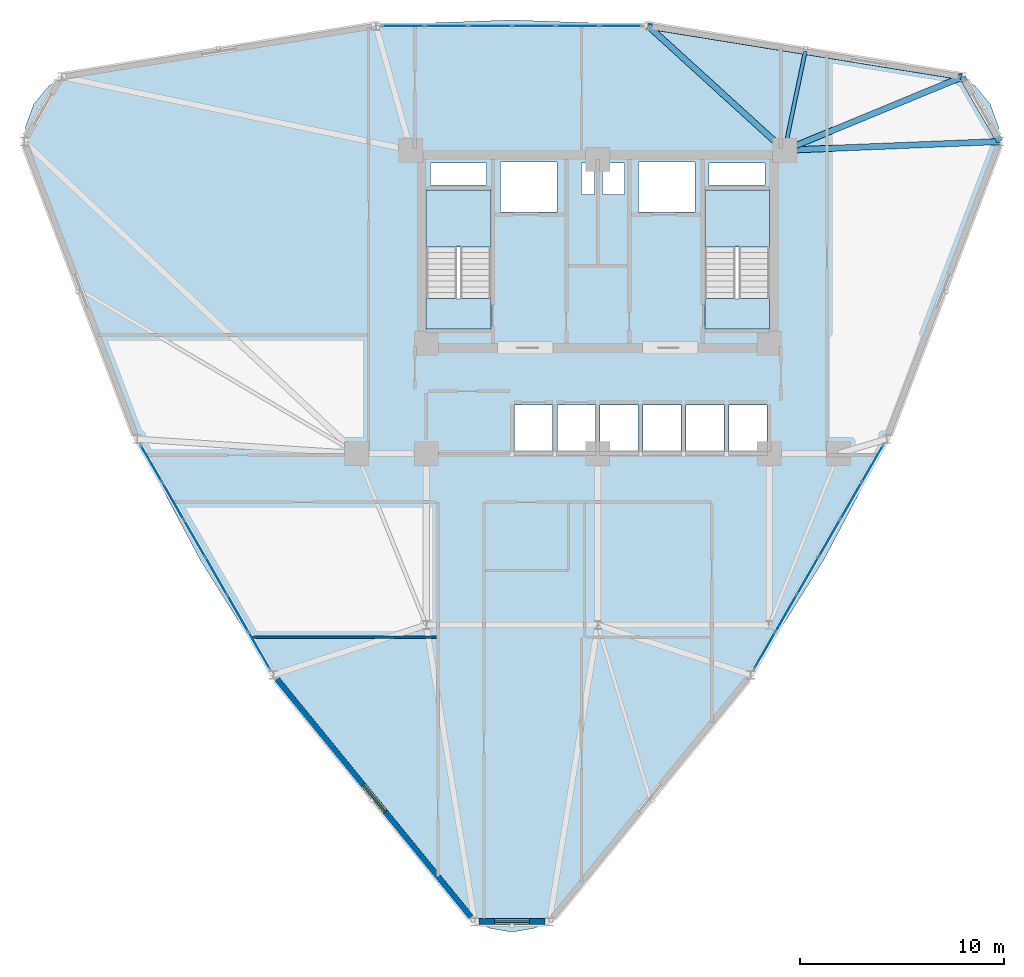
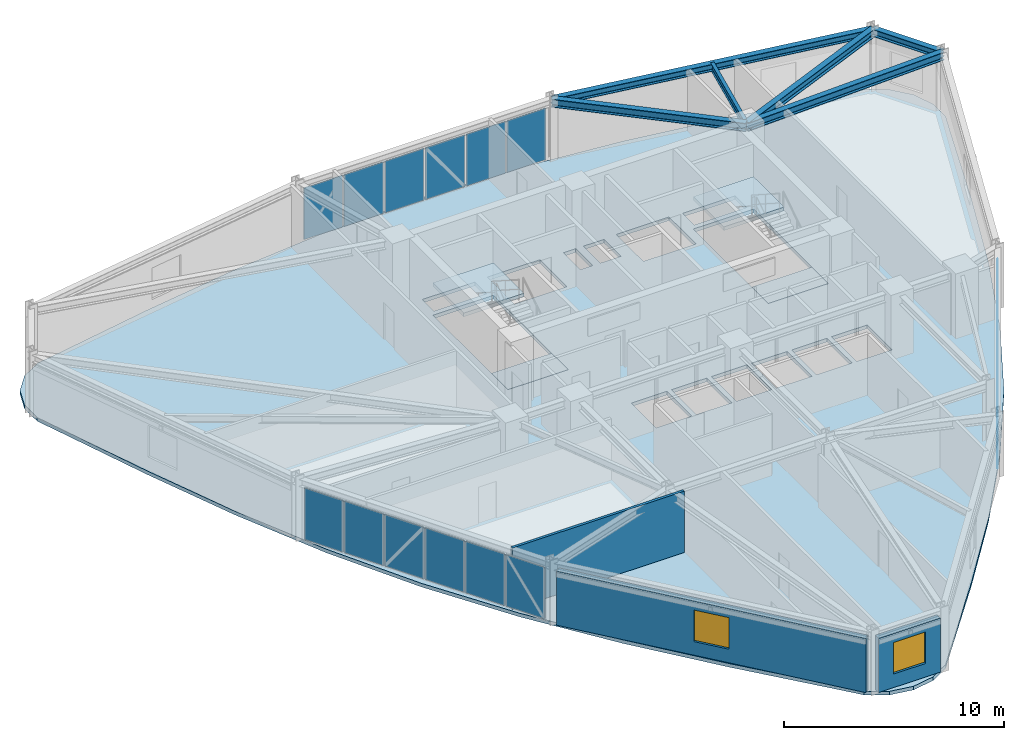
# One storey, part 11 of 18: 18 plates, 6 beams, 5 slabs, 3 walls, 2 windows, 2 openings, 5 elements without a shape of their own.
"""IFC4 building model written with IfcOpenShell, lengths in metres."""

from ifc_helpers import new_model, si_unit, derived_unit, direction, frame, frame_2d, origin, origin_2d, place, context, subcontext, project, spatial, polyline, rectangle, i_section, outline, extrude, source, transform, mapped, material, layer, layer_set, material_profile, profile_set, type_object, element, fill, aggregate, save


model = new_model("IFC4")

# Units and contexts
model_context = context("Model", 3, precision=1e-05, world=origin(), true_north=direction((0.0, 1.0)))
body_context = subcontext(model_context, "Body", "Model", "MODEL_VIEW")
ifc_project = project(units=[si_unit("LENGTHUNIT", "METRE"), si_unit("AREAUNIT", "SQUARE_METRE"), si_unit("VOLUMEUNIT", "CUBIC_METRE"), si_unit("PLANEANGLEUNIT", "RADIAN"), si_unit("MASSUNIT", "GRAM", prefix="KILO"), derived_unit("THERMALTRANSMITTANCEUNIT", [(si_unit("POWERUNIT", "WATT"), 1), (si_unit("LENGTHUNIT", "METRE"), -2), (si_unit("THERMODYNAMICTEMPERATUREUNIT", "KELVIN"), -1)])], contexts=[model_context])

# Site, building, storey
site_placement = place(None, origin())
site = spatial("IfcSite", under=ifc_project, at=site_placement, CompositionType="ELEMENT")
building_placement = place(site_placement, origin())
building = spatial("IfcBuilding", under=site, at=building_placement, Name="Korsvarv Bourse and Concert Hall", CompositionType="ELEMENT")
storey_placement = place(building_placement, frame((0.0, 0.0, 139.800048828125)))
storey = spatial("IfcBuildingStorey", under=building, at=storey_placement, Name="L35", CompositionType="ELEMENT", Elevation=139.800048828125)

# Beams
ifc_material_1 = material(Name="Steel S355", Category="steel")
ifc_material_profile_1 = material_profile(ifc_material_1, i_section(OverallWidth=0.300048828125, OverallDepth=0.39990234375, WebThickness=0.013427734375, FlangeThickness=0.02392578125, FilletRadius=0.02099609375, at=origin_2d()), Name="HEB 400")
ifc_profile_set_1 = profile_set([ifc_material_profile_1], Name="Steel S355")
beam_type_1 = type_object("IfcBeamType", Name="BM-HEB400", PredefinedType="SPANDREL", material=ifc_profile_set_1)
shared_shape_1 = source(origin(), body_context, "Body", "SweptSolid", [
    extrude(i_section(OverallWidth=0.300048828125, OverallDepth=0.39990234375, WebThickness=0.013427734375, FlangeThickness=0.02392578125, FilletRadius=0.02099609375, at=origin_2d()), origin(), (0.0, 0.0, 1.0), 3.659423828125),
])
beam_1_placement = place(storey_placement, frame((55.686279296875, 47.677978515625, 3.199951171875), z_axis=(-0.500049712553, 0.865996700326, 0.0), x_axis=(-0.865996700326, -0.500049712553, 0.0)))
element("IfcBeam", 1, at=beam_1_placement, inside=storey, type_object=beam_type_1, Name="L35 beam B-09", PredefinedType="SPANDREL", context=body_context, shape_type="MappedRepresentation", body=[
    mapped(shared_shape_1, transform((0.0, 0.0, 0.0), scale=1.0)),
])
shared_shape_2 = source(origin(), body_context, "Body", "SweptSolid", [
    extrude(i_section(OverallWidth=0.300048828125, OverallDepth=0.39990234375, WebThickness=0.013427734375, FlangeThickness=0.02392578125, FilletRadius=0.02099609375, at=origin_2d()), origin(), (0.0, 0.0, 1.0), 15.593017578125),
])
beam_2_placement = place(storey_placement, frame((53.8564453125, 50.846923828125, 3.199951171875), z_axis=(-0.987167652814, 0.159687273249, 0.0), x_axis=(-0.159687273249, -0.987167652814, 0.0)))
element("IfcBeam", 2, at=beam_2_placement, inside=storey, type_object=beam_type_1, Name="L35 beam B-09", PredefinedType="SPANDREL", context=body_context, shape_type="MappedRepresentation", body=[
    mapped(shared_shape_2, transform((0.0, 0.0, 0.0), scale=1.0)),
])
ifc_material_profile_2 = material_profile(ifc_material_1, i_section(OverallWidth=0.300048828125, OverallDepth=0.449951171875, WebThickness=0.013916015625, FlangeThickness=0.02587890625, FilletRadius=0.02099609375, at=origin_2d()), Name="HEB 450")
ifc_profile_set_2 = profile_set([ifc_material_profile_2], Name="Steel S355")
beam_type_2 = type_object("IfcBeamType", Name="BM-HEB450", PredefinedType="SPANDREL", material=ifc_profile_set_2)
shared_shape_3 = source(origin(), body_context, "Body", "SweptSolid", [
    extrude(i_section(OverallWidth=0.300048828125, OverallDepth=0.449951171875, WebThickness=0.013916015625, FlangeThickness=0.02587890625, FilletRadius=0.02099609375, at=origin_2d()), origin(), (0.0, 0.0, 1.0), 10.545166015625),
])
beam_3_placement = place(storey_placement, frame((55.686279296875, 47.677978515625, 3.175048828125), z_axis=(-0.999176062374, -0.040585667153, 0.0), x_axis=(0.040585667153, -0.999176062374, 0.0)))
element("IfcBeam", 3, at=beam_3_placement, inside=storey, type_object=beam_type_2, Name="L35 beam B-08", PredefinedType="SPANDREL", context=body_context, shape_type="MappedRepresentation", body=[
    mapped(shared_shape_3, transform((0.0, 0.0, 0.0), scale=1.0)),
])
shared_shape_4 = source(origin(), body_context, "Body", "SweptSolid", [
    extrude(i_section(OverallWidth=0.300048828125, OverallDepth=0.449951171875, WebThickness=0.013916015625, FlangeThickness=0.02587890625, FilletRadius=0.02099609375, at=origin_2d()), origin(), (0.0, 0.0, 1.0), 9.420166015625),
])
beam_4_placement = place(storey_placement, frame((53.8564453125, 50.846923828125, 3.175048828125), z_axis=(-0.92423359285, -0.381827534167, 0.0), x_axis=(0.381827534167, -0.92423359285, 0.0)))
element("IfcBeam", 4, at=beam_4_placement, inside=storey, type_object=beam_type_2, Name="L35 beam B-08", PredefinedType="SPANDREL", context=body_context, shape_type="MappedRepresentation", body=[
    mapped(shared_shape_4, transform((0.0, 0.0, 0.0), scale=1.0)),
])
shared_shape_5 = source(origin(), body_context, "Body", "SweptSolid", [
    extrude(i_section(OverallWidth=0.300048828125, OverallDepth=0.449951171875, WebThickness=0.013916015625, FlangeThickness=0.02587890625, FilletRadius=0.02099609375, at=origin_2d()), origin(), (0.0, 0.0, 1.0), 9.0419921875),
])
beam_5_placement = place(storey_placement, frame((38.463623046875, 53.3369140625, 3.175048828125), z_axis=(0.739473183203, -0.673186015395, 0.0), x_axis=(0.673186015395, 0.739473183203, 0.0)))
element("IfcBeam", 5, at=beam_5_placement, inside=storey, type_object=beam_type_2, Name="L35 beam B-08", PredefinedType="SPANDREL", context=body_context, shape_type="MappedRepresentation", body=[
    mapped(shared_shape_5, transform((0.0, 0.0, 0.0), scale=1.0)),
])
ifc_material_profile_3 = material_profile(ifc_material_1, i_section(OverallWidth=0.179931640625, OverallDepth=0.39990234375, WebThickness=0.008544921875, FlangeThickness=0.013427734375, FilletRadius=0.02099609375, at=origin_2d()), Name="IPE 400")
ifc_profile_set_3 = profile_set([ifc_material_profile_3], Name="Steel S355")
beam_type_3 = type_object("IfcBeamType", Name="BM-IPE400", PredefinedType="JOIST", material=ifc_profile_set_3)
shared_shape_6 = source(origin(), body_context, "Body", "SweptSolid", [
    extrude(i_section(OverallWidth=0.179931640625, OverallDepth=0.39990234375, WebThickness=0.008544921875, FlangeThickness=0.013427734375, FilletRadius=0.02099609375, at=origin_2d()), origin(), (0.0, 0.0, 1.0), 4.9462890625),
])
beam_6_placement = place(storey_placement, frame((46.16015625, 52.092041015625, 3.199951171875), z_axis=(-0.204243988144, -0.978920013743, 0.0), x_axis=(0.978920013743, -0.204243988144, 0.0)))
element("IfcBeam", 6, at=beam_6_placement, inside=storey, type_object=beam_type_3, Name="L35 beam J-05", PredefinedType="JOIST", context=body_context, shape_type="MappedRepresentation", body=[
    mapped(shared_shape_6, transform((0.0, 0.0, 0.0), scale=1.0)),
])

# Slabs
ifc_material_2 = material(Name="Precast concrete C45/55", Category="concrete")
ifc_layer_1 = layer(ifc_material_2, 0.199951171875)
ifc_layer_set_1 = layer_set([ifc_layer_1], Name="Precast concrete C45/55")
slab_type_1 = type_object("IfcSlabType", Name="SLB-FLND-T", PredefinedType="LANDING", material=ifc_layer_set_1)
slab_1_placement = place(storey_placement, frame((0.0, 0.0, -0.199951171875)))
element("IfcSlab", 7, at=slab_1_placement, inside=storey, type_object=slab_type_1, Name="L35 Stair ST-T1 Floor Landing Slab", PredefinedType="LANDING", context=body_context, shape_type="SweptSolid", body=[
    extrude(outline(polyline([(30.760009765625, 38.5), (30.760009765625, 40.0), (27.60009765625, 40.0), (27.60009765625, 38.5), (30.760009765625, 38.5)])), origin(), (0.0, 0.0, 1.0), 0.199951171875),
])
slab_2_placement = place(storey_placement, frame((0.0, 0.0, -0.199951171875)))
element("IfcSlab", 8, at=slab_2_placement, inside=storey, type_object=slab_type_1, Name="L35 Stair ST-T2 Floor Landing Slab", PredefinedType="LANDING", context=body_context, shape_type="SweptSolid", body=[
    extrude(outline(polyline([(44.39990234375, 38.5), (44.39990234375, 40.0), (41.239990234375, 40.0), (41.239990234375, 38.5), (44.39990234375, 38.5)])), origin(), (0.0, 0.0, 1.0), 0.199951171875),
])

# Stair, slab
stair_type = type_object("IfcStairType", Name="STR-TYPE-04", PredefinedType="HALF_TURN_STAIR", material=ifc_material_2)
stair_1_placement = place(storey_placement, origin())
stair_1 = element("IfcStair", 9, at=stair_1_placement, inside=storey, type_object=stair_type, Name="L35 Tower West Exit Stair ST-T1", PredefinedType="HALF_TURN_STAIR")
ifc_layer_2 = layer(ifc_material_2, 0.199951171875)
ifc_layer_set_2 = layer_set([ifc_layer_2], Name="Precast concrete C45/55")
slab_type_2 = type_object("IfcSlabType", Name="SLB-ST-LND", PredefinedType="LANDING", material=ifc_layer_set_2)
slab_3_placement = place(storey_placement, frame((0.0, 0.0, 1.599853515625)))
slab_3 = element("IfcSlab", 10, at=slab_3_placement, type_object=slab_type_2, Name="ST-T1 landing 1", PredefinedType="LANDING", context=body_context, shape_type="SweptSolid", body=[
    extrude(outline(polyline([(30.760009765625, 42.52001953125), (30.760009765625, 45.300048828125), (27.60009765625, 45.300048828125), (27.60009765625, 42.52001953125), (30.760009765625, 42.52001953125)])), origin(), (0.0, 0.0, 1.0), 0.2001953125),
])
aggregate(stair_1, [slab_3])

stair_2_placement = place(storey_placement, origin())
stair_2 = element("IfcStair", 11, at=stair_2_placement, inside=storey, type_object=stair_type, Name="L35 Tower East Exit Stair ST-T2", PredefinedType="HALF_TURN_STAIR")
slab_4_placement = place(storey_placement, frame((0.0, 0.0, 1.599853515625)))
slab_4 = element("IfcSlab", 12, at=slab_4_placement, type_object=slab_type_2, Name="ST-T2 landing 1", PredefinedType="LANDING", context=body_context, shape_type="SweptSolid", body=[
    extrude(outline(polyline([(44.39990234375, 42.52001953125), (44.39990234375, 45.300048828125), (41.239990234375, 45.300048828125), (41.239990234375, 42.52001953125), (44.39990234375, 42.52001953125)])), origin(), (0.0, 0.0, 1.0), 0.2001953125),
])
aggregate(stair_2, [slab_4])

# Slab
ifc_material_3 = material(Name="Concrete C45/55", Category="concrete")
ifc_layer_3 = layer(ifc_material_3, 0.199951171875)
ifc_layer_set_3 = layer_set([ifc_layer_3], Name="Concrete C45/55")
slab_type_3 = type_object("IfcSlabType", Name="SLB-TW2", PredefinedType="FLOOR", material=ifc_layer_set_3)
slab_5_placement = place(storey_placement, frame((0.0, 0.0, -0.199951171875)))
element("IfcSlab", 13, at=slab_5_placement, inside=storey, type_object=slab_type_3, Name="L35 tower structural floor slab", PredefinedType="FLOOR", context=body_context, shape_type="SweptSolid", body=[
    extrude(outline(polyline([(55.160888671875, 46.032958984375), (53.404052734375, 41.13525390625), (51.532958984375, 36.328857421875), (49.444091796875, 31.668212890625), (47.06689453125, 27.185546875), (44.373291015625, 22.8857421875), (41.381591796875, 18.746337890625), (38.15478515625, 14.722900390625), (34.79150390625, 10.75244140625), (34.7890625, 10.749267578125), (33.944580078125, 9.742919921875), (32.941162109375, 9.16357421875), (31.800048828125, 8.96240234375), (30.658935546875, 9.16357421875), (29.655517578125, 9.742919921875), (28.81103515625, 10.749267578125), (28.808349609375, 10.75244140625), (25.4453125, 14.722900390625), (22.218505859375, 18.746337890625), (19.2265625, 22.8857421875), (16.533203125, 27.185546875), (14.156005859375, 31.668212890625), (12.067138671875, 36.328857421875), (10.196044921875, 41.13525390625), (8.439208984375, 46.032958984375), (8.437744140625, 46.036865234375), (7.98828125, 47.271484375), (7.98828125, 48.429931640625), (8.384765625, 49.518798828125), (9.12939453125, 50.406494140625), (10.1328125, 50.985595703125), (11.4267578125, 51.2138671875), (11.430908203125, 51.214599609375), (16.55078125, 52.14208984375), (21.648681640625, 52.9248046875), (26.729248046875, 53.446044921875), (31.800048828125, 53.628662109375), (36.87060546875, 53.446044921875), (41.951171875, 52.9248046875), (47.04931640625, 52.14208984375), (52.169189453125, 51.214599609375), (52.173095703125, 51.2138671875), (53.467041015625, 50.985595703125), (54.470458984375, 50.406494140625), (55.21533203125, 49.518798828125), (55.611572265625, 48.429931640625), (55.611572265625, 47.271484375), (55.162109375, 46.036865234375), (55.160888671875, 46.032958984375)]), holes=[polyline([(30.760009765625, 38.5), (30.760009765625, 45.300048828125), (27.60009765625, 45.300048828125), (27.60009765625, 38.5), (30.760009765625, 38.5)]), polyline([(44.39990234375, 38.5), (44.39990234375, 45.300048828125), (41.239990234375, 45.300048828125), (41.239990234375, 38.5), (44.39990234375, 38.5)]), polyline([(31.239990234375, 44.219970703125), (34.0, 44.219970703125), (34.0, 46.679931640625), (31.239990234375, 46.679931640625), (31.239990234375, 44.219970703125)]), polyline([(38.0, 44.219970703125), (40.760009765625, 44.219970703125), (40.760009765625, 46.679931640625), (38.0, 46.679931640625), (38.0, 44.219970703125)]), polyline([(31.919921875, 32.52001953125), (33.780029296875, 32.52001953125), (33.780029296875, 34.780029296875), (31.919921875, 34.780029296875), (31.919921875, 32.52001953125)]), polyline([(34.02001953125, 32.52001953125), (35.8798828125, 32.52001953125), (35.8798828125, 34.780029296875), (34.02001953125, 34.780029296875), (34.02001953125, 32.52001953125)]), polyline([(36.1201171875, 32.52001953125), (37.97998046875, 32.52001953125), (37.97998046875, 34.780029296875), (36.1201171875, 34.780029296875), (36.1201171875, 32.52001953125)]), polyline([(38.219970703125, 32.52001953125), (40.080078125, 32.52001953125), (40.080078125, 34.780029296875), (38.219970703125, 34.780029296875), (38.219970703125, 32.52001953125)]), polyline([(40.320068359375, 32.52001953125), (42.179931640625, 32.52001953125), (42.179931640625, 34.780029296875), (40.320068359375, 34.780029296875), (40.320068359375, 32.52001953125)]), polyline([(42.419921875, 32.52001953125), (44.280029296875, 32.52001953125), (44.280029296875, 34.780029296875), (42.419921875, 34.780029296875), (42.419921875, 32.52001953125)]), polyline([(27.800048828125, 45.56005859375), (30.56005859375, 45.56005859375), (30.56005859375, 46.6201171875), (27.800048828125, 46.6201171875), (27.800048828125, 45.56005859375)]), polyline([(41.43994140625, 45.56005859375), (44.199951171875, 45.56005859375), (44.199951171875, 46.6201171875), (41.43994140625, 46.6201171875), (41.43994140625, 45.56005859375)]), polyline([(35.199951171875, 45.080078125), (35.840087890625, 45.080078125), (35.840087890625, 46.6201171875), (35.199951171875, 46.6201171875), (35.199951171875, 45.080078125)]), polyline([(36.239990234375, 45.080078125), (37.320068359375, 45.080078125), (37.320068359375, 46.6201171875), (36.239990234375, 46.6201171875), (36.239990234375, 45.080078125)])]), origin(), (0.0, 0.0, 1.0), 0.199951171875),
])

# Curtain wall, plates
ifc_material_4 = material(Name="Anodised aluminium and triple low-E glazing", Category="glass")
ifc_layer_4 = layer(ifc_material_4, 0.2099609375)
ifc_layer_set_4 = layer_set([ifc_layer_4], Name="Anodised aluminium and triple low-E glazing")
curtain_wall_type = type_object("IfcCurtainWallType", Name="CW-SYS-2", PredefinedType="NOTDEFINED", material=ifc_layer_set_4)
curtain_wall_1_placement = place(storey_placement, origin())
curtain_wall_1 = element("IfcCurtainWall", 14, at=curtain_wall_1_placement, inside=storey, type_object=curtain_wall_type, Name="L35 CW2 curtain wall CW-L35-F03", PredefinedType="NOTDEFINED")
ifc_material_5 = material(Name="Tempered triple insulated low-E architectural glass", Category="glass")
ifc_layer_5 = layer(ifc_material_5, 0.0380859375)
ifc_layer_set_5 = layer_set([ifc_layer_5], Name="Tempered triple insulated low-E architectural glass")
plate_type_1 = type_object("IfcPlateType", Name="CWP-VIS2", PredefinedType="CURTAIN_PANEL", material=ifc_layer_set_5)
shared_shape_7 = source(origin(), body_context, "Body", "SweptSolid", [
    extrude(rectangle(XDim=2.031005859375, YDim=0.0380859375, at=origin_2d()), origin(), (0.0, 0.0, 1.0), 2.8701171875),
])
plate_1_placement = place(storey_placement, frame((37.122314453125, 53.3369140625, 0.06494140625), z_axis=(0.0, 0.0, 1.0), x_axis=(-1.0, 0.0, 0.0)))
plate_1 = element("IfcPlate", 15, at=plate_1_placement, type_object=plate_type_1, Name="CW2 faceted panel 1.1", PredefinedType="CURTAIN_PANEL", context=body_context, shape_type="MappedRepresentation", body=[
    mapped(shared_shape_7, transform((0.0, 0.0, 0.0), scale=1.0)),
])
shared_shape_8 = source(origin(), body_context, "Body", "SweptSolid", [
    extrude(rectangle(XDim=2.06591796875, YDim=0.0380859375, at=origin_2d()), origin(), (0.0, 0.0, 1.0), 2.8701171875),
])
plate_2_placement = place(storey_placement, frame((35.00390625, 53.3369140625, 0.06494140625), z_axis=(0.0, 0.0, 1.0), x_axis=(-1.0, 0.0, 0.0)))
plate_2 = element("IfcPlate", 16, at=plate_2_placement, type_object=plate_type_1, Name="CW2 faceted panel 2.1", PredefinedType="CURTAIN_PANEL", context=body_context, shape_type="MappedRepresentation", body=[
    mapped(shared_shape_8, transform((0.0, 0.0, 0.0), scale=1.0)),
])
plate_3_placement = place(storey_placement, frame((30.73193359375, 53.3369140625, 0.06494140625), z_axis=(0.0, 0.0, 1.0), x_axis=(-1.0, 0.0, 0.0)))
plate_3 = element("IfcPlate", 17, at=plate_3_placement, type_object=plate_type_1, Name="CW2 faceted panel 4.1", PredefinedType="CURTAIN_PANEL", context=body_context, shape_type="MappedRepresentation", body=[
    mapped(shared_shape_8, transform((0.0, 0.0, 0.0), scale=1.0)),
])
plate_4_placement = place(storey_placement, frame((28.59619140625, 53.3369140625, 0.06494140625), z_axis=(0.0, 0.0, 1.0), x_axis=(-1.0, 0.0, 0.0)))
plate_4 = element("IfcPlate", 18, at=plate_4_placement, type_object=plate_type_1, Name="CW2 faceted panel 5.1", PredefinedType="CURTAIN_PANEL", context=body_context, shape_type="MappedRepresentation", body=[
    mapped(shared_shape_8, transform((0.0, 0.0, 0.0), scale=1.0)),
])
ifc_material_6 = material(Name="Insulated spandrel glass", Category="glass")
ifc_layer_6 = layer(ifc_material_6, 0.031982421875)
ifc_layer_set_6 = layer_set([ifc_layer_6], Name="Insulated spandrel glass")
plate_type_2 = type_object("IfcPlateType", Name="CWP-SPD1", PredefinedType="CURTAIN_PANEL", material=ifc_layer_set_6)
shared_shape_9 = source(origin(), body_context, "Body", "SweptSolid", [
    extrude(rectangle(XDim=2.06591796875, YDim=0.031982421875, at=origin_2d()), origin(), (0.0, 0.0, 1.0), 2.8701171875),
])
plate_5_placement = place(storey_placement, frame((32.867919921875, 53.3369140625, 0.06494140625), z_axis=(0.0, 0.0, 1.0), x_axis=(-1.0, 0.0, 0.0)))
plate_5 = element("IfcPlate", 19, at=plate_5_placement, type_object=plate_type_2, Name="CW2 spandrel shadow-box panel 3.1", PredefinedType="CURTAIN_PANEL", context=body_context, shape_type="MappedRepresentation", body=[
    mapped(shared_shape_9, transform((0.0, 0.0, 0.0), scale=1.0)),
])
shared_shape_10 = source(origin(), body_context, "Body", "SweptSolid", [
    extrude(rectangle(XDim=2.031005859375, YDim=0.031982421875, at=origin_2d()), origin(), (0.0, 0.0, 1.0), 2.8701171875),
])
plate_6_placement = place(storey_placement, frame((26.477783203125, 53.3369140625, 0.06494140625), z_axis=(0.0, 0.0, 1.0), x_axis=(-1.0, 0.0, 0.0)))
plate_6 = element("IfcPlate", 20, at=plate_6_placement, type_object=plate_type_2, Name="CW2 spandrel shadow-box panel 6.1", PredefinedType="CURTAIN_PANEL", context=body_context, shape_type="MappedRepresentation", body=[
    mapped(shared_shape_10, transform((0.0, 0.0, 0.0), scale=1.0)),
])
aggregate(curtain_wall_1, [plate_1, plate_2, plate_5, plate_3, plate_4, plate_6])

# Curtain wall, plate
curtain_wall_2_placement = place(storey_placement, origin())
curtain_wall_2 = element("IfcCurtainWall", 21, at=curtain_wall_2_placement, inside=storey, type_object=curtain_wall_type, Name="L35 CW2 curtain wall CW-L35-F07", PredefinedType="NOTDEFINED")
shared_shape_11 = source(origin(), body_context, "Body", "SweptSolid", [
    extrude(rectangle(XDim=2.01318359375, YDim=0.0380859375, at=origin_2d()), origin(), (0.0, 0.0, 1.0), 2.8701171875),
])
plate_7_placement = place(storey_placement, frame((14.146728515625, 31.902587890625, 0.06494140625), z_axis=(0.0, 0.0, 1.0), x_axis=(0.500000329688, -0.866025213439, 0.0)))
plate_7 = element("IfcPlate", 22, at=plate_7_placement, type_object=plate_type_1, Name="CW2 faceted panel 1.1", PredefinedType="CURTAIN_PANEL", context=body_context, shape_type="MappedRepresentation", body=[
    mapped(shared_shape_11, transform((0.0, 0.0, 0.0), scale=1.0)),
])

curtain_wall_3_placement = place(storey_placement, origin())
curtain_wall_3 = element("IfcCurtainWall", 23, at=curtain_wall_3_placement, inside=storey, type_object=curtain_wall_type, Name="L35 CW2 curtain wall CW-L35-F11", PredefinedType="NOTDEFINED")
plate_8_placement = place(storey_placement, frame((44.175048828125, 22.760498046875, 0.06494140625), z_axis=(0.0, 0.0, 1.0), x_axis=(0.500000329688, 0.866025213439, 0.0)))
plate_8 = element("IfcPlate", 24, at=plate_8_placement, type_object=plate_type_1, Name="CW2 faceted panel 1.1", PredefinedType="CURTAIN_PANEL", context=body_context, shape_type="MappedRepresentation", body=[
    mapped(shared_shape_11, transform((0.0, 0.0, 0.0), scale=1.0)),
])

# Plate
shared_shape_12 = source(origin(), body_context, "Body", "SweptSolid", [
    extrude(rectangle(XDim=2.04833984375, YDim=0.0380859375, at=origin_2d()), origin(), (0.0, 0.0, 1.0), 2.8701171875),
])
plate_9_placement = place(storey_placement, frame((15.197021484375, 30.083251953125, 0.06494140625), z_axis=(0.0, 0.0, 1.0), x_axis=(0.500000329688, -0.866025213439, 0.0)))
plate_9 = element("IfcPlate", 25, at=plate_9_placement, type_object=plate_type_1, Name="CW2 faceted panel 2.1", PredefinedType="CURTAIN_PANEL", context=body_context, shape_type="MappedRepresentation", body=[
    mapped(shared_shape_12, transform((0.0, 0.0, 0.0), scale=1.0)),
])

plate_10_placement = place(storey_placement, frame((17.3154296875, 26.414306640625, 0.06494140625), z_axis=(0.0, 0.0, 1.0), x_axis=(0.500000329688, -0.866025213439, 0.0)))
plate_10 = element("IfcPlate", 26, at=plate_10_placement, type_object=plate_type_1, Name="CW2 faceted panel 4.1", PredefinedType="CURTAIN_PANEL", context=body_context, shape_type="MappedRepresentation", body=[
    mapped(shared_shape_12, transform((0.0, 0.0, 0.0), scale=1.0)),
])

plate_11_placement = place(storey_placement, frame((18.37451171875, 24.579833984375, 0.06494140625), z_axis=(0.0, 0.0, 1.0), x_axis=(0.500000329688, -0.866025213439, 0.0)))
plate_11 = element("IfcPlate", 27, at=plate_11_placement, type_object=plate_type_1, Name="CW2 faceted panel 5.1", PredefinedType="CURTAIN_PANEL", context=body_context, shape_type="MappedRepresentation", body=[
    mapped(shared_shape_12, transform((0.0, 0.0, 0.0), scale=1.0)),
])

plate_12_placement = place(storey_placement, frame((45.2255859375, 24.579833984375, 0.06494140625), z_axis=(0.0, 0.0, 1.0), x_axis=(0.500000329688, 0.866025213439, 0.0)))
plate_12 = element("IfcPlate", 28, at=plate_12_placement, type_object=plate_type_1, Name="CW2 faceted panel 2.1", PredefinedType="CURTAIN_PANEL", context=body_context, shape_type="MappedRepresentation", body=[
    mapped(shared_shape_12, transform((0.0, 0.0, 0.0), scale=1.0)),
])

plate_13_placement = place(storey_placement, frame((47.34375, 28.248779296875, 0.06494140625), z_axis=(0.0, 0.0, 1.0), x_axis=(0.500000329688, 0.866025213439, 0.0)))
plate_13 = element("IfcPlate", 29, at=plate_13_placement, type_object=plate_type_1, Name="CW2 faceted panel 4.1", PredefinedType="CURTAIN_PANEL", context=body_context, shape_type="MappedRepresentation", body=[
    mapped(shared_shape_12, transform((0.0, 0.0, 0.0), scale=1.0)),
])

plate_14_placement = place(storey_placement, frame((48.403076171875, 30.083251953125, 0.06494140625), z_axis=(0.0, 0.0, 1.0), x_axis=(0.500000329688, 0.866025213439, 0.0)))
plate_14 = element("IfcPlate", 30, at=plate_14_placement, type_object=plate_type_1, Name="CW2 faceted panel 5.1", PredefinedType="CURTAIN_PANEL", context=body_context, shape_type="MappedRepresentation", body=[
    mapped(shared_shape_12, transform((0.0, 0.0, 0.0), scale=1.0)),
])

shared_shape_13 = source(origin(), body_context, "Body", "SweptSolid", [
    extrude(rectangle(XDim=2.04833984375, YDim=0.031982421875, at=origin_2d()), origin(), (0.0, 0.0, 1.0), 2.8701171875),
])
plate_15_placement = place(storey_placement, frame((16.256103515625, 28.248779296875, 0.06494140625), z_axis=(0.0, 0.0, 1.0), x_axis=(0.500000329688, -0.866025213439, 0.0)))
plate_15 = element("IfcPlate", 31, at=plate_15_placement, type_object=plate_type_2, Name="CW2 spandrel shadow-box panel 3.1", PredefinedType="CURTAIN_PANEL", context=body_context, shape_type="MappedRepresentation", body=[
    mapped(shared_shape_13, transform((0.0, 0.0, 0.0), scale=1.0)),
])

plate_16_placement = place(storey_placement, frame((46.28466796875, 26.414306640625, 0.06494140625), z_axis=(0.0, 0.0, 1.0), x_axis=(0.500000329688, 0.866025213439, 0.0)))
plate_16 = element("IfcPlate", 32, at=plate_16_placement, type_object=plate_type_2, Name="CW2 spandrel shadow-box panel 3.1", PredefinedType="CURTAIN_PANEL", context=body_context, shape_type="MappedRepresentation", body=[
    mapped(shared_shape_13, transform((0.0, 0.0, 0.0), scale=1.0)),
])

shared_shape_14 = source(origin(), body_context, "Body", "SweptSolid", [
    extrude(rectangle(XDim=2.01318359375, YDim=0.031982421875, at=origin_2d()), origin(), (0.0, 0.0, 1.0), 2.8701171875),
])
plate_17_placement = place(storey_placement, frame((19.4248046875, 22.760498046875, 0.06494140625), z_axis=(0.0, 0.0, 1.0), x_axis=(0.500000329688, -0.866025213439, 0.0)))
plate_17 = element("IfcPlate", 33, at=plate_17_placement, type_object=plate_type_2, Name="CW2 spandrel shadow-box panel 6.1", PredefinedType="CURTAIN_PANEL", context=body_context, shape_type="MappedRepresentation", body=[
    mapped(shared_shape_14, transform((0.0, 0.0, 0.0), scale=1.0)),
])

aggregate(curtain_wall_2, [plate_7, plate_9, plate_15, plate_10, plate_11, plate_17])

plate_18_placement = place(storey_placement, frame((49.453369140625, 31.902587890625, 0.06494140625), z_axis=(0.0, 0.0, 1.0), x_axis=(0.500000329688, 0.866025213439, 0.0)))
plate_18 = element("IfcPlate", 34, at=plate_18_placement, type_object=plate_type_2, Name="CW2 spandrel shadow-box panel 6.1", PredefinedType="CURTAIN_PANEL", context=body_context, shape_type="MappedRepresentation", body=[
    mapped(shared_shape_14, transform((0.0, 0.0, 0.0), scale=1.0)),
])

aggregate(curtain_wall_3, [plate_8, plate_12, plate_16, plate_13, plate_14, plate_18])

# Wall, opening, window
ifc_material_7 = material(Name="Precast concrete C45/55 with terracotta rainscreen", Category="concrete")
ifc_layer_7 = layer(ifc_material_7, 0.300048828125)
ifc_layer_set_7 = layer_set([ifc_layer_7], Name="Precast concrete C45/55 with terracotta rainscreen")
wall_type_1 = type_object("IfcWallType", Name="WL-EXT-TC1", PredefinedType="SOLIDWALL", material=ifc_layer_set_7)
wall_1_placement = place(storey_placement, frame((30.181396484375, 9.47509765625, 0.0), z_axis=(0.0, 0.0, 1.0), x_axis=(1.0, 0.0, 0.0)))
wall_1 = element("IfcWall", 35, at=wall_1_placement, inside=storey, type_object=wall_type_1, Name="L35 terracotta exterior wall EW-L35-B09", PredefinedType="SOLIDWALL", context=body_context, shape_type="SweptSolid", body=[
    extrude(rectangle(XDim=3.2373046875, YDim=0.300048828125, at=frame_2d((1.61865234375, 0.0))), origin(), (0.0, 0.0, 1.0), 3.0),
])
opening_1_placement = place(wall_1_placement, frame((0.768798828125, 0.0, 0.75)))
opening_1 = element("IfcOpeningElement", 36, at=opening_1_placement, cuts=wall_1, Name="Opening W-01", PredefinedType="OPENING", context=body_context, shape_type="SweptSolid", body=[
    extrude(rectangle(XDim=1.699951171875, YDim=1.75, at=frame_2d((0.85009765625, 0.875))), frame((0.0, 0.16015625, 0.0), z_axis=(0.0, -1.0, 0.0), x_axis=(1.0, 0.0, 0.0)), (0.0, 0.0, 1.0), 0.320068359375),
])
ifc_material_8 = material(Name="Thermally broken aluminium frame with triple low-E glass", Category="glass")
window_type = type_object("IfcWindowType", Name="WIN-TW1", PartitioningType="SINGLE_PANEL", PredefinedType="WINDOW", material=ifc_material_8)
window_1_placement = place(opening_1_placement, origin())
window_1 = element("IfcWindow", 37, at=window_1_placement, inside=storey, type_object=window_type, Name="L35 punched facade window W-01", OverallHeight=1.75, OverallWidth=1.699951171875, PartitioningType="SINGLE_PANEL", PredefinedType="WINDOW", context=body_context, shape_type="SweptSolid", body=[
    extrude(rectangle(XDim=1.699951171875, YDim=1.75, at=frame_2d((0.85009765625, 0.875))), frame((0.0, 0.030029296875, 0.0), z_axis=(0.0, -1.0, 0.0), x_axis=(1.0, 0.0, 0.0)), (0.0, 0.0, 1.0), 0.06005859375),
])
fill(opening_1, window_1)

ifc_material_9 = material(Name="Precast concrete C45/55 with fluted terracotta pier", Category="concrete")
ifc_layer_8 = layer(ifc_material_9, 0.280029296875)
ifc_layer_set_8 = layer_set([ifc_layer_8], Name="Precast concrete C45/55 with fluted terracotta pier")
wall_type_2 = type_object("IfcWallType", Name="WL-EXT-TC2", PredefinedType="SOLIDWALL", material=ifc_layer_set_8)
wall_2_placement = place(storey_placement, frame((20.299072265625, 21.337890625, 0.0), z_axis=(0.0, 0.0, 1.0), x_axis=(0.631872666528, -0.775072211665, 0.0)))
wall_2 = element("IfcWall", 38, at=wall_2_placement, inside=storey, type_object=wall_type_2, Name="L35 terracotta exterior wall EW-L35-B08", PredefinedType="SOLIDWALL", context=body_context, shape_type="SweptSolid", body=[
    extrude(rectangle(XDim=15.0185546875, YDim=0.280029296875, at=frame_2d((7.50927734375, 0.0))), origin(), (0.0, 0.0, 1.0), 3.0),
])
opening_2_placement = place(wall_2_placement, frame((6.6591796875, 0.0, 0.75)))
opening_2 = element("IfcOpeningElement", 39, at=opening_2_placement, cuts=wall_2, Name="Opening W-01", PredefinedType="OPENING", context=body_context, shape_type="SweptSolid", body=[
    extrude(rectangle(XDim=1.699951171875, YDim=1.75, at=frame_2d((0.85009765625, 0.875))), frame((0.0, 0.14990234375, 0.0), z_axis=(0.0, -1.0, 0.0), x_axis=(1.0, 0.0, 0.0)), (0.0, 0.0, 1.0), 0.300048828125),
])
window_2_placement = place(opening_2_placement, origin())
window_2 = element("IfcWindow", 40, at=window_2_placement, inside=storey, type_object=window_type, Name="L35 punched facade window W-01", OverallHeight=1.75, OverallWidth=1.699951171875, PartitioningType="SINGLE_PANEL", PredefinedType="WINDOW", context=body_context, shape_type="SweptSolid", body=[
    extrude(rectangle(XDim=1.699951171875, YDim=1.75, at=frame_2d((0.85009765625, 0.875))), frame((0.0, 0.030029296875, 0.0), z_axis=(0.0, -1.0, 0.0), x_axis=(1.0, 0.0, 0.0)), (0.0, 0.0, 1.0), 0.06005859375),
])
fill(opening_2, window_2)

# Wall
ifc_material_10 = material(Name="Insulated steel-stud office acoustic partition", Category="gypsum")
ifc_layer_9 = layer(ifc_material_10, 0.139892578125)
ifc_layer_set_9 = layer_set([ifc_layer_9], Name="Insulated steel-stud office acoustic partition")
wall_type_3 = type_object("IfcWallType", Name="WL-INT-P1", PredefinedType="PARTITIONING", material=ifc_layer_set_9)
wall_3_placement = place(storey_placement, frame((19.07275390625, 23.405029296875, 0.0), z_axis=(0.0, 0.0, 1.0), x_axis=(1.0, 0.0, 0.0)))
element("IfcWall", 41, at=wall_3_placement, inside=storey, type_object=wall_type_3, Name="L35 interior partition wall W-L35-TCOR-14", PredefinedType="PARTITIONING", context=body_context, shape_type="SweptSolid", body=[
    extrude(rectangle(XDim=9.020263671875, YDim=0.139892578125, at=frame_2d((4.51025390625, 0.0))), origin(), (0.0, 0.0, 1.0), 3.39990234375),
])

save(model, "model.ifc")
